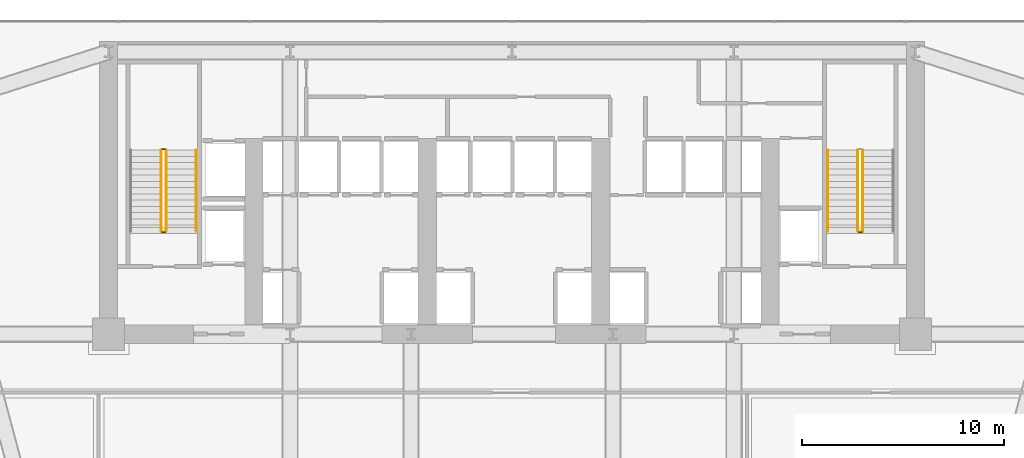
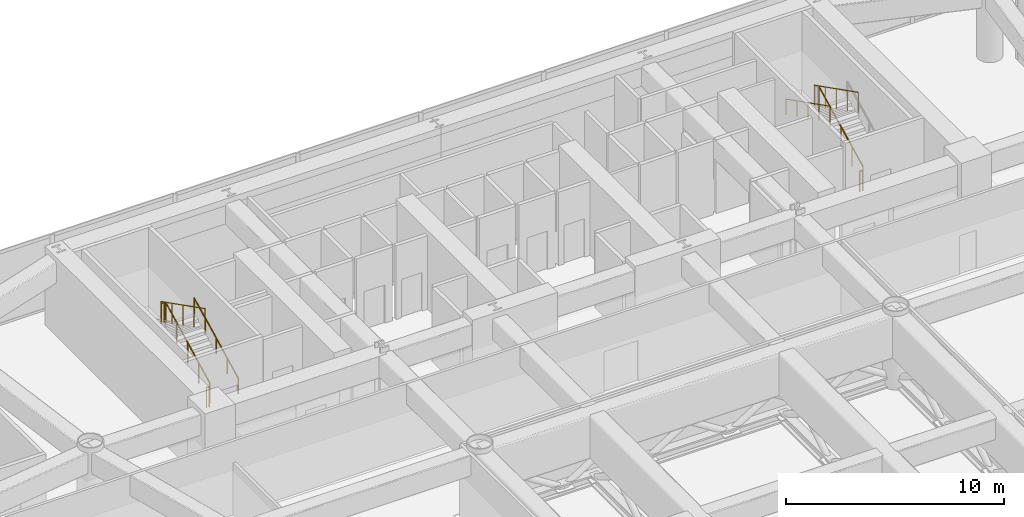
# One storey, part 19 of 21: 9 railings.
"""IFC4 building model written with IfcOpenShell, lengths in metres."""

from ifc_helpers import new_model, si_unit, direction, frame, origin, origin_2d, place, context, subcontext, project, spatial, circle, extrude, material, type_object, element, save


model = new_model("IFC4")

# Units and contexts
model_context = context("Model", 3, precision=1e-05, world=origin(), true_north=direction((0.0, 1.0)))
body_context = subcontext(model_context, "Body", "Model", "MODEL_VIEW")
ifc_project = project(units=[si_unit("LENGTHUNIT", "METRE"), si_unit("AREAUNIT", "SQUARE_METRE"), si_unit("VOLUMEUNIT", "CUBIC_METRE"), si_unit("PLANEANGLEUNIT", "RADIAN"), si_unit("MASSUNIT", "GRAM", prefix="KILO")], contexts=[model_context])

# Site, building, storey
site_placement = place(None, origin())
site = spatial("IfcSite", under=ifc_project, at=site_placement, CompositionType="ELEMENT")
building_placement = place(site_placement, origin())
building = spatial("IfcBuilding", under=site, at=building_placement, Name="Vaeldorn Concourse Tower", CompositionType="ELEMENT")
storey_placement = place(building_placement, frame((0.0, 0.0, 14.39990234375)))
storey = spatial("IfcBuildingStorey", under=building, at=storey_placement, Name="L03", CompositionType="ELEMENT", Elevation=14.39990234375)

# Railings
ifc_material = material(Name="Anodised Bronze Aluminium", Category="aluminium")
railing_type_1 = type_object("IfcRailingType", Name="RL-STAIR-GUARD", PredefinedType="GUARDRAIL", material=ifc_material)
railing_1_placement = place(storey_placement, frame((16.85009765625, 41.60009765625, 0.1572265625)))
element("IfcRailing", 1, at=railing_1_placement, inside=storey, type_object=railing_type_1, Name="L03 ST-1 stair guard 1", PredefinedType="GUARDRAIL", context=body_context, shape_type="SweptSolid", body=[
    extrude(circle(Radius=0.02392578125, at=origin_2d()), frame((0.0, 0.0, 1.1259765625), z_axis=(0.0, 0.891927692675, 0.452178052363), x_axis=(-1.0, 0.0, 0.0)), (0.0, 0.0, 1.0), 4.51806640625),
    extrude(circle(Radius=0.02099609375, at=origin_2d()), origin(), (0.0, 0.0, 1.0), 1.101806640625),
    extrude(circle(Radius=0.02099609375, at=origin_2d()), frame((0.0, 1.00732421875, 0.5107421875)), (0.0, 0.0, 1.0), 1.101806640625),
    extrude(circle(Radius=0.02099609375, at=origin_2d()), frame((0.0, 2.014892578125, 1.021484375)), (0.0, 0.0, 1.0), 1.101806640625),
    extrude(circle(Radius=0.02099609375, at=origin_2d()), frame((0.0, 3.0224609375, 1.5322265625)), (0.0, 0.0, 1.0), 1.101806640625),
    extrude(circle(Radius=0.02099609375, at=origin_2d()), frame((0.0, 4.02978515625, 2.04296875)), (0.0, 0.0, 1.0), 1.101806640625),
])
railing_2_placement = place(storey_placement, frame((16.800048828125, 45.679931640625, 2.2001953125)))
element("IfcRailing", 2, at=railing_2_placement, inside=storey, type_object=railing_type_1, Name="L03 ST-1 stair guard 2", PredefinedType="GUARDRAIL", context=body_context, shape_type="SweptSolid", body=[
    extrude(circle(Radius=0.02392578125, at=origin_2d()), frame((0.0, 0.0, 1.1259765625), z_axis=(-1.0, 0.0, 0.0), x_axis=(0.0, -1.0, 0.0)), (0.0, 0.0, 1.0), 0.150146484375),
    extrude(circle(Radius=0.02099609375, at=origin_2d()), origin(), (0.0, 0.0, 1.0), 1.101806640625),
    extrude(circle(Radius=0.02099609375, at=origin_2d()), frame((-0.150146484375, 0.0, 0.0)), (0.0, 0.0, 1.0), 1.101806640625),
])
railing_3_placement = place(storey_placement, frame((16.60009765625, 45.6298828125, 2.357177734375)))
element("IfcRailing", 3, at=railing_3_placement, inside=storey, type_object=railing_type_1, Name="L03 ST-1 stair guard 3", PredefinedType="GUARDRAIL", context=body_context, shape_type="SweptSolid", body=[
    extrude(circle(Radius=0.02392578125, at=origin_2d()), frame((0.0, 0.0, 1.1259765625), z_axis=(0.0, -0.891927692675, 0.452178052363), x_axis=(1.0, 0.0, 0.0)), (0.0, 0.0, 1.0), 4.51806640625),
    extrude(circle(Radius=0.02099609375, at=origin_2d()), origin(), (0.0, 0.0, 1.0), 1.101806640625),
    extrude(circle(Radius=0.02099609375, at=origin_2d()), frame((0.0, -1.00732421875, 0.5107421875)), (0.0, 0.0, 1.0), 1.101806640625),
    extrude(circle(Radius=0.02099609375, at=origin_2d()), frame((0.0, -2.014892578125, 1.021484375)), (0.0, 0.0, 1.0), 1.101806640625),
    extrude(circle(Radius=0.02099609375, at=origin_2d()), frame((0.0, -3.0224609375, 1.5322265625)), (0.0, 0.0, 1.0), 1.101806640625),
    extrude(circle(Radius=0.02099609375, at=origin_2d()), frame((0.0, -4.02978515625, 2.04296875)), (0.0, 0.0, 1.0), 1.101806640625),
])
railing_4_placement = place(storey_placement, frame((16.800048828125, 41.550048828125, 0.0)))
element("IfcRailing", 4, at=railing_4_placement, inside=storey, type_object=railing_type_1, Name="L03 ST-1 stair guard 4", PredefinedType="GUARDRAIL", context=body_context, shape_type="SweptSolid", body=[
    extrude(circle(Radius=0.02392578125, at=origin_2d()), frame((0.0, 0.0, 1.1259765625), z_axis=(-1.0, 0.0, 0.0), x_axis=(0.0, -1.0, 0.0)), (0.0, 0.0, 1.0), 0.150146484375),
    extrude(circle(Radius=0.02099609375, at=origin_2d()), origin(), (0.0, 0.0, 1.0), 1.101806640625),
    extrude(circle(Radius=0.02099609375, at=origin_2d()), frame((-0.150146484375, 0.0, 0.0)), (0.0, 0.0, 1.0), 1.101806640625),
])
railing_5_placement = place(storey_placement, frame((51.39990234375, 41.60009765625, 0.1572265625)))
element("IfcRailing", 5, at=railing_5_placement, inside=storey, type_object=railing_type_1, Name="L03 ST-2 stair guard 1", PredefinedType="GUARDRAIL", context=body_context, shape_type="SweptSolid", body=[
    extrude(circle(Radius=0.02392578125, at=origin_2d()), frame((0.0, 0.0, 1.1259765625), z_axis=(0.0, 0.891927692675, 0.452178052363), x_axis=(-1.0, 0.0, 0.0)), (0.0, 0.0, 1.0), 4.51806640625),
    extrude(circle(Radius=0.02099609375, at=origin_2d()), origin(), (0.0, 0.0, 1.0), 1.101806640625),
    extrude(circle(Radius=0.02099609375, at=origin_2d()), frame((0.0, 1.00732421875, 0.5107421875)), (0.0, 0.0, 1.0), 1.101806640625),
    extrude(circle(Radius=0.02099609375, at=origin_2d()), frame((0.0, 2.014892578125, 1.021484375)), (0.0, 0.0, 1.0), 1.101806640625),
    extrude(circle(Radius=0.02099609375, at=origin_2d()), frame((0.0, 3.0224609375, 1.5322265625)), (0.0, 0.0, 1.0), 1.101806640625),
    extrude(circle(Radius=0.02099609375, at=origin_2d()), frame((0.0, 4.02978515625, 2.04296875)), (0.0, 0.0, 1.0), 1.101806640625),
])
railing_6_placement = place(storey_placement, frame((51.14990234375, 45.6298828125, 2.357177734375)))
element("IfcRailing", 6, at=railing_6_placement, inside=storey, type_object=railing_type_1, Name="L03 ST-2 stair guard 3", PredefinedType="GUARDRAIL", context=body_context, shape_type="SweptSolid", body=[
    extrude(circle(Radius=0.02392578125, at=origin_2d()), frame((0.0, 0.0, 1.1259765625), z_axis=(0.0, -0.891927692675, 0.452178052363), x_axis=(1.0, 0.0, 0.0)), (0.0, 0.0, 1.0), 4.51806640625),
    extrude(circle(Radius=0.02099609375, at=origin_2d()), origin(), (0.0, 0.0, 1.0), 1.101806640625),
    extrude(circle(Radius=0.02099609375, at=origin_2d()), frame((0.0, -1.00732421875, 0.5107421875)), (0.0, 0.0, 1.0), 1.101806640625),
    extrude(circle(Radius=0.02099609375, at=origin_2d()), frame((0.0, -2.014892578125, 1.021484375)), (0.0, 0.0, 1.0), 1.101806640625),
    extrude(circle(Radius=0.02099609375, at=origin_2d()), frame((0.0, -3.0224609375, 1.5322265625)), (0.0, 0.0, 1.0), 1.101806640625),
    extrude(circle(Radius=0.02099609375, at=origin_2d()), frame((0.0, -4.02978515625, 2.04296875)), (0.0, 0.0, 1.0), 1.101806640625),
])
railing_7_placement = place(storey_placement, frame((51.35009765625, 41.550048828125, 0.0)))
element("IfcRailing", 7, at=railing_7_placement, inside=storey, type_object=railing_type_1, Name="L03 ST-2 stair guard 4", PredefinedType="GUARDRAIL", context=body_context, shape_type="SweptSolid", body=[
    extrude(circle(Radius=0.02392578125, at=origin_2d()), frame((0.0, 0.0, 1.1259765625), z_axis=(-1.0, 0.0, 0.0), x_axis=(0.0, -1.0, 0.0)), (0.0, 0.0, 1.0), 0.150146484375),
    extrude(circle(Radius=0.02099609375, at=origin_2d()), origin(), (0.0, 0.0, 1.0), 1.101806640625),
    extrude(circle(Radius=0.02099609375, at=origin_2d()), frame((-0.150146484375, 0.0, 0.0)), (0.0, 0.0, 1.0), 1.101806640625),
])
railing_type_2 = type_object("IfcRailingType", Name="RL-STAIR-HANDRAIL", PredefinedType="HANDRAIL", material=ifc_material)
railing_8_placement = place(storey_placement, frame((18.35009765625, 41.60009765625, 0.1572265625)))
element("IfcRailing", 8, at=railing_8_placement, inside=storey, type_object=railing_type_2, Name="L03 ST-1 stair handrail 1", PredefinedType="HANDRAIL", context=body_context, shape_type="SweptSolid", body=[
    extrude(circle(Radius=0.02392578125, at=origin_2d()), frame((0.0, 0.0, 0.8759765625), z_axis=(0.0, 0.891927692675, 0.452178052363), x_axis=(-1.0, 0.0, 0.0)), (0.0, 0.0, 1.0), 4.51806640625),
    extrude(circle(Radius=0.02099609375, at=origin_2d()), origin(), (0.0, 0.0, 1.0), 0.851806640625),
    extrude(circle(Radius=0.02099609375, at=origin_2d()), frame((0.0, 1.00732421875, 0.5107421875)), (0.0, 0.0, 1.0), 0.851806640625),
    extrude(circle(Radius=0.02099609375, at=origin_2d()), frame((0.0, 2.014892578125, 1.021484375)), (0.0, 0.0, 1.0), 0.851806640625),
    extrude(circle(Radius=0.02099609375, at=origin_2d()), frame((0.0, 3.0224609375, 1.5322265625)), (0.0, 0.0, 1.0), 0.851806640625),
    extrude(circle(Radius=0.02099609375, at=origin_2d()), frame((0.0, 4.02978515625, 2.04296875)), (0.0, 0.0, 1.0), 0.851806640625),
])
railing_9_placement = place(storey_placement, frame((49.64990234375, 45.6298828125, 2.357177734375)))
element("IfcRailing", 9, at=railing_9_placement, inside=storey, type_object=railing_type_2, Name="L03 ST-2 stair handrail 2", PredefinedType="HANDRAIL", context=body_context, shape_type="SweptSolid", body=[
    extrude(circle(Radius=0.02392578125, at=origin_2d()), frame((0.0, 0.0, 0.8759765625), z_axis=(0.0, -0.891927692675, 0.452178052363), x_axis=(1.0, 0.0, 0.0)), (0.0, 0.0, 1.0), 4.51806640625),
    extrude(circle(Radius=0.02099609375, at=origin_2d()), origin(), (0.0, 0.0, 1.0), 0.851806640625),
    extrude(circle(Radius=0.02099609375, at=origin_2d()), frame((0.0, -1.00732421875, 0.5107421875)), (0.0, 0.0, 1.0), 0.851806640625),
    extrude(circle(Radius=0.02099609375, at=origin_2d()), frame((0.0, -2.014892578125, 1.021484375)), (0.0, 0.0, 1.0), 0.851806640625),
    extrude(circle(Radius=0.02099609375, at=origin_2d()), frame((0.0, -3.0224609375, 1.5322265625)), (0.0, 0.0, 1.0), 0.851806640625),
    extrude(circle(Radius=0.02099609375, at=origin_2d()), frame((0.0, -4.02978515625, 2.04296875)), (0.0, 0.0, 1.0), 0.851806640625),
])

save(model, "model.ifc")
